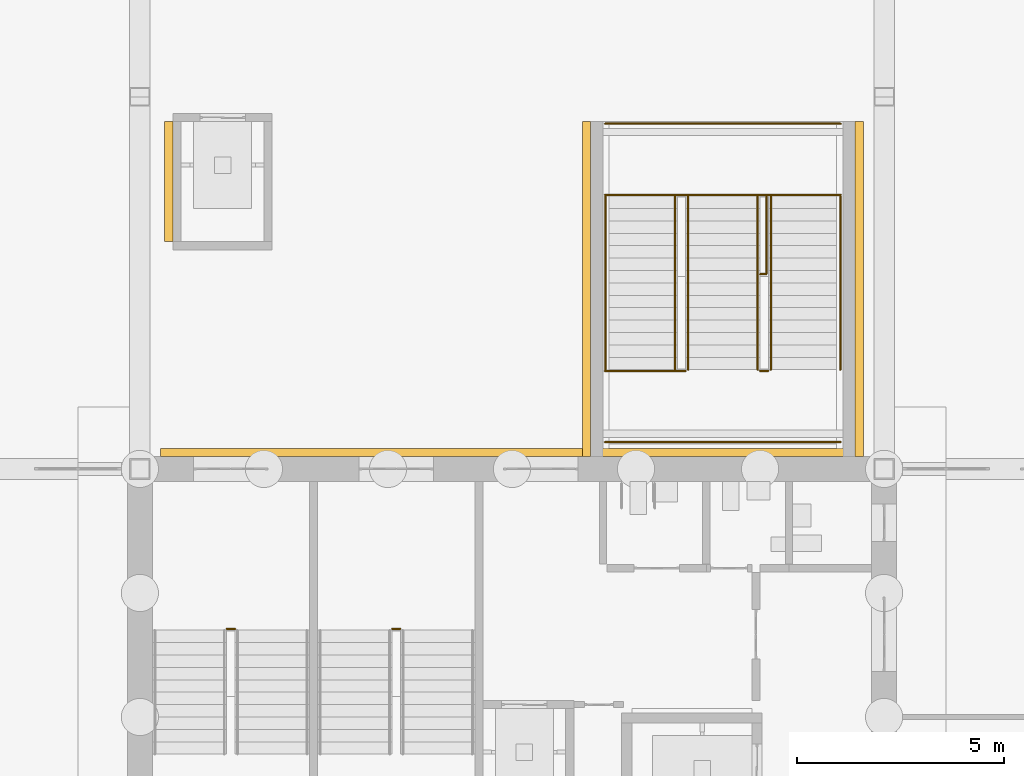
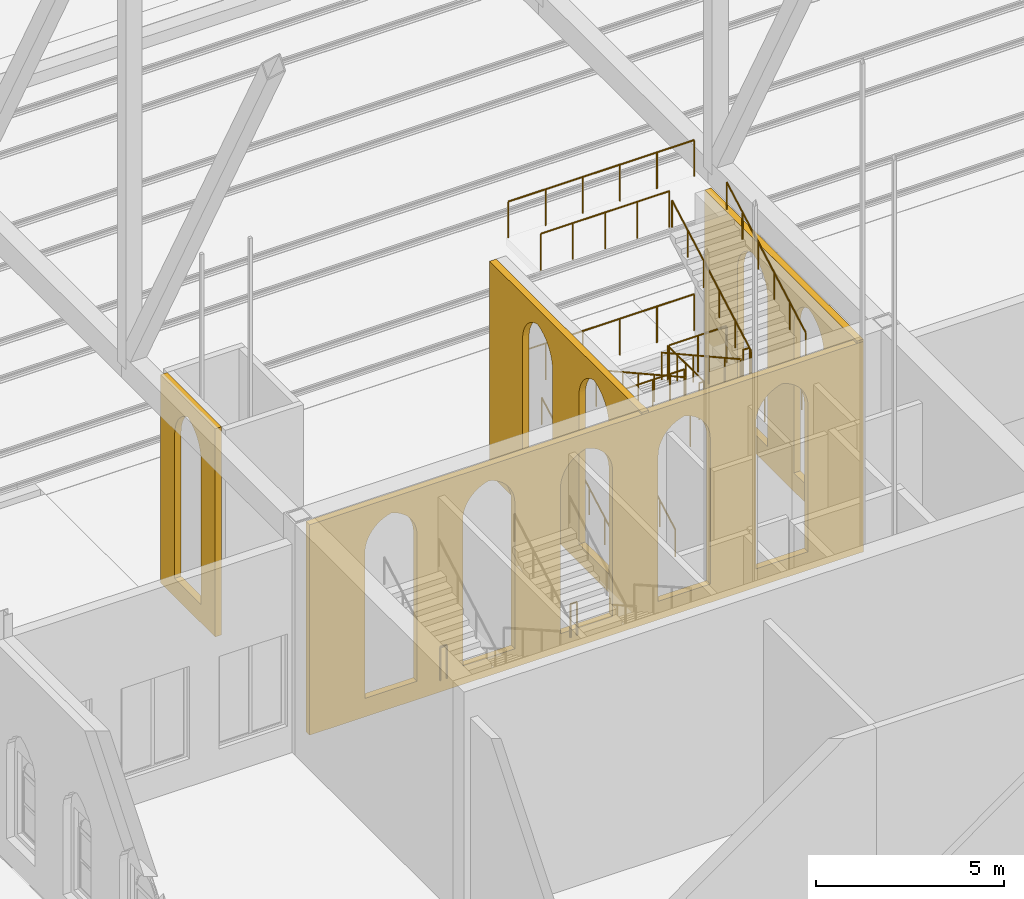
# One storey, part 177 of 250: 16 railings, 4 coverings.
"""IFC4 building model written with IfcOpenShell, lengths in metres."""

from ifc_helpers import new_model, si_unit, direction, frame, origin, origin_2d, place, context, subcontext, project, spatial, polyline, circle, outline, extrude, material, layer, layer_set, type_object, element, save


model = new_model("IFC4")

# Units and contexts
model_context = context("Model", 3, precision=1e-05, world=origin(), true_north=direction((0.0, 1.0)))
body_context = subcontext(model_context, "Body", "Model", "MODEL_VIEW")
ifc_project = project(units=[si_unit("LENGTHUNIT", "METRE"), si_unit("AREAUNIT", "SQUARE_METRE"), si_unit("VOLUMEUNIT", "CUBIC_METRE"), si_unit("PLANEANGLEUNIT", "RADIAN"), si_unit("MASSUNIT", "GRAM", prefix="KILO")], contexts=[model_context])

# Site, building, storey
site_placement = place(None, origin())
site = spatial("IfcSite", under=ifc_project, at=site_placement, CompositionType="ELEMENT")
building_placement = place(site_placement, origin())
building = spatial("IfcBuilding", under=site, at=building_placement, Name="Baradari Gate Terminus", CompositionType="ELEMENT")
storey_placement = place(building_placement, origin())
storey = spatial("IfcBuildingStorey", under=building, at=storey_placement, Name="L00", CompositionType="ELEMENT", Elevation=0.0)

# Railings
ifc_material_1 = material(Name="Stainless steel 1.4301", Category="steel")
railing_type_1 = type_object("IfcRailingType", Name="Guard GR-1 1100", PredefinedType="GUARDRAIL", material=ifc_material_1)
for number, where, name in (
    (1, (74.10009765625, 32.1298828125, 3.75), "Landing guard ST-GS1 L00"),
    (2, (78.10009765625, 32.1298828125, 3.75), "Landing guard ST-GS2 L00"),
):
    element("IfcRailing", number, at=place(storey_placement, frame(where)), inside=storey, type_object=railing_type_1, Name=name, PredefinedType="GUARDRAIL", context=body_context, shape_type="SweptSolid", body=[
        extrude(circle(Radius=0.02392578125, at=origin_2d()), frame((0.0, 0.0, 1.076171875), z_axis=(1.0, 0.0, 0.0), x_axis=(0.0, 1.0, 0.0)), (0.0, 0.0, 1.0), 0.199951171875),
        extrude(circle(Radius=0.02099609375, at=origin_2d()), origin(), (0.0, 0.0, 1.0), 1.052001953125),
        extrude(circle(Radius=0.02099609375, at=origin_2d()), frame((0.199951171875, 0.0, 0.0)), (0.0, 0.0, 1.0), 1.052001953125),
    ])
ifc_material_2 = material(Name="Stainless steel 1.4301", Category="steel")
railing_type_2 = type_object("IfcRailingType", Name="Guard GR-2 1200", PredefinedType="GUARDRAIL", material=ifc_material_2)
railing_1_placement = place(storey_placement, frame((87.0, 40.7099609375, 2.5)))
element("IfcRailing", 3, at=railing_1_placement, inside=storey, type_object=railing_type_2, Name="Landing guard PS-1 L00", PredefinedType="GUARDRAIL", context=body_context, shape_type="SweptSolid", body=[
    extrude(circle(Radius=0.02392578125, at=origin_2d()), frame((0.0, 0.0, 1.17578125), z_axis=(1.0, 0.0, 0.0), x_axis=(0.0, 1.0, 0.0)), (0.0, 0.0, 1.0), 0.14990234375),
    extrude(circle(Radius=0.02392578125, at=origin_2d()), frame((0.14990234375, 0.0, 1.17578125), z_axis=(0.0, 1.0, 0.0), x_axis=(-1.0, 0.0, 0.0)), (0.0, 0.0, 1.0), 1.919921875),
    extrude(circle(Radius=0.02099609375, at=origin_2d()), origin(), (0.0, 0.0, 1.0), 1.15185546875),
    extrude(circle(Radius=0.02099609375, at=origin_2d()), frame((0.14990234375, 0.0, 0.0)), (0.0, 0.0, 1.0), 1.15185546875),
    extrude(circle(Radius=0.02099609375, at=origin_2d()), frame((0.14990234375, 0.9599609375, 0.0)), (0.0, 0.0, 1.0), 1.15185546875),
    extrude(circle(Radius=0.02099609375, at=origin_2d()), frame((0.14990234375, 1.919921875, 0.0)), (0.0, 0.0, 1.0), 1.15185546875),
])
railing_2_placement = place(storey_placement, frame((87.199951171875, 42.6298828125, 2.5)))
element("IfcRailing", 4, at=railing_2_placement, inside=storey, type_object=railing_type_2, Name="Landing guard PS-1 L00", PredefinedType="GUARDRAIL", context=body_context, shape_type="SweptSolid", body=[
    extrude(circle(Radius=0.02392578125, at=origin_2d()), frame((0.0, 0.0, 1.17578125), z_axis=(1.0, 0.0, 0.0), x_axis=(0.0, 1.0, 0.0)), (0.0, 0.0, 1.0), 1.75),
    extrude(circle(Radius=0.02099609375, at=origin_2d()), origin(), (0.0, 0.0, 1.0), 1.15185546875),
    extrude(circle(Radius=0.02099609375, at=origin_2d()), frame((0.875, 0.0, 0.0)), (0.0, 0.0, 1.0), 1.15185546875),
    extrude(circle(Radius=0.02099609375, at=origin_2d()), frame((1.75, 0.0, 0.0)), (0.0, 0.0, 1.0), 1.15185546875),
])
railing_3_placement = place(storey_placement, frame((88.949951171875, 44.35009765625, 2.5)))
element("IfcRailing", 5, at=railing_3_placement, inside=storey, type_object=railing_type_2, Name="Landing guard PS-1 L00", PredefinedType="GUARDRAIL", context=body_context, shape_type="SweptSolid", body=[
    extrude(circle(Radius=0.02392578125, at=origin_2d()), frame((0.0, 0.0, 1.17578125), z_axis=(-1.0, 0.0, 0.0), x_axis=(0.0, -1.0, 0.0)), (0.0, 0.0, 1.0), 5.699951171875),
    extrude(circle(Radius=0.02099609375, at=origin_2d()), origin(), (0.0, 0.0, 1.0), 1.15185546875),
    extrude(circle(Radius=0.02099609375, at=origin_2d()), frame((-1.139892578125, 0.0, 0.0)), (0.0, 0.0, 1.0), 1.15185546875),
    extrude(circle(Radius=0.02099609375, at=origin_2d()), frame((-2.280029296875, 0.0, 0.0)), (0.0, 0.0, 1.0), 1.15185546875),
    extrude(circle(Radius=0.02099609375, at=origin_2d()), frame((-3.419921875, 0.0, 0.0)), (0.0, 0.0, 1.0), 1.15185546875),
    extrude(circle(Radius=0.02099609375, at=origin_2d()), frame((-4.56005859375, 0.0, 0.0)), (0.0, 0.0, 1.0), 1.15185546875),
    extrude(circle(Radius=0.02099609375, at=origin_2d()), frame((-5.699951171875, 0.0, 0.0)), (0.0, 0.0, 1.0), 1.15185546875),
])
railing_4_placement = place(storey_placement, frame((83.25, 36.64990234375, 5.0)))
element("IfcRailing", 6, at=railing_4_placement, inside=storey, type_object=railing_type_2, Name="Landing guard PS-1 L00", PredefinedType="GUARDRAIL", context=body_context, shape_type="SweptSolid", body=[
    extrude(circle(Radius=0.02392578125, at=origin_2d()), frame((0.0, 0.0, 1.17578125), z_axis=(1.0, 0.0, 0.0), x_axis=(0.0, 1.0, 0.0)), (0.0, 0.0, 1.0), 5.699951171875),
    extrude(circle(Radius=0.02099609375, at=origin_2d()), origin(), (0.0, 0.0, 1.0), 1.15185546875),
    extrude(circle(Radius=0.02099609375, at=origin_2d()), frame((1.139892578125, 0.0, 0.0)), (0.0, 0.0, 1.0), 1.15185546875),
    extrude(circle(Radius=0.02099609375, at=origin_2d()), frame((2.280029296875, 0.0, 0.0)), (0.0, 0.0, 1.0), 1.15185546875),
    extrude(circle(Radius=0.02099609375, at=origin_2d()), frame((3.419921875, 0.0, 0.0)), (0.0, 0.0, 1.0), 1.15185546875),
    extrude(circle(Radius=0.02099609375, at=origin_2d()), frame((4.56005859375, 0.0, 0.0)), (0.0, 0.0, 1.0), 1.15185546875),
    extrude(circle(Radius=0.02099609375, at=origin_2d()), frame((5.699951171875, 0.0, 0.0)), (0.0, 0.0, 1.0), 1.15185546875),
])
railing_5_placement = place(storey_placement, frame((87.199951171875, 38.3701171875, 5.0)))
element("IfcRailing", 7, at=railing_5_placement, inside=storey, type_object=railing_type_2, Name="Landing guard PS-1 L00", PredefinedType="GUARDRAIL", context=body_context, shape_type="SweptSolid", body=[
    extrude(circle(Radius=0.02392578125, at=origin_2d()), frame((0.0, 0.0, 1.17578125), z_axis=(-1.0, 0.0, 0.0), x_axis=(0.0, -1.0, 0.0)), (0.0, 0.0, 1.0), 0.199951171875),
    extrude(circle(Radius=0.02099609375, at=origin_2d()), origin(), (0.0, 0.0, 1.0), 1.15185546875),
    extrude(circle(Radius=0.02099609375, at=origin_2d()), frame((-0.199951171875, 0.0, 0.0)), (0.0, 0.0, 1.0), 1.15185546875),
])
railing_6_placement = place(storey_placement, frame((85.199951171875, 38.3701171875, 5.0)))
element("IfcRailing", 8, at=railing_6_placement, inside=storey, type_object=railing_type_2, Name="Landing guard PS-1 L00", PredefinedType="GUARDRAIL", context=body_context, shape_type="SweptSolid", body=[
    extrude(circle(Radius=0.02392578125, at=origin_2d()), frame((0.0, 0.0, 1.17578125), z_axis=(-1.0, 0.0, 0.0), x_axis=(0.0, -1.0, 0.0)), (0.0, 0.0, 1.0), 1.949951171875),
    extrude(circle(Radius=0.02099609375, at=origin_2d()), origin(), (0.0, 0.0, 1.0), 1.15185546875),
    extrude(circle(Radius=0.02099609375, at=origin_2d()), frame((-0.97509765625, 0.0, 0.0)), (0.0, 0.0, 1.0), 1.15185546875),
    extrude(circle(Radius=0.02099609375, at=origin_2d()), frame((-1.949951171875, 0.0, 0.0)), (0.0, 0.0, 1.0), 1.15185546875),
])
railing_7_placement = place(storey_placement, frame((83.25, 42.6298828125, 7.5)))
element("IfcRailing", 9, at=railing_7_placement, inside=storey, type_object=railing_type_2, Name="Landing guard PS-1 L00", PredefinedType="GUARDRAIL", context=body_context, shape_type="SweptSolid", body=[
    extrude(circle(Radius=0.02392578125, at=origin_2d()), frame((0.0, 0.0, 1.17578125), z_axis=(1.0, 0.0, 0.0), x_axis=(0.0, 1.0, 0.0)), (0.0, 0.0, 1.0), 3.949951171875),
    extrude(circle(Radius=0.02099609375, at=origin_2d()), origin(), (0.0, 0.0, 1.0), 1.15185546875),
    extrude(circle(Radius=0.02099609375, at=origin_2d()), frame((0.987548828125, 0.0, 0.0)), (0.0, 0.0, 1.0), 1.15185546875),
    extrude(circle(Radius=0.02099609375, at=origin_2d()), frame((1.97509765625, 0.0, 0.0)), (0.0, 0.0, 1.0), 1.15185546875),
    extrude(circle(Radius=0.02099609375, at=origin_2d()), frame((2.96240234375, 0.0, 0.0)), (0.0, 0.0, 1.0), 1.15185546875),
    extrude(circle(Radius=0.02099609375, at=origin_2d()), frame((3.949951171875, 0.0, 0.0)), (0.0, 0.0, 1.0), 1.15185546875),
])
railing_8_placement = place(storey_placement, frame((88.949951171875, 44.35009765625, 7.5)))
element("IfcRailing", 10, at=railing_8_placement, inside=storey, type_object=railing_type_2, Name="Landing guard PS-1 L00", PredefinedType="GUARDRAIL", context=body_context, shape_type="SweptSolid", body=[
    extrude(circle(Radius=0.02392578125, at=origin_2d()), frame((0.0, 0.0, 1.17578125), z_axis=(-1.0, 0.0, 0.0), x_axis=(0.0, -1.0, 0.0)), (0.0, 0.0, 1.0), 5.699951171875),
    extrude(circle(Radius=0.02099609375, at=origin_2d()), origin(), (0.0, 0.0, 1.0), 1.15185546875),
    extrude(circle(Radius=0.02099609375, at=origin_2d()), frame((-1.139892578125, 0.0, 0.0)), (0.0, 0.0, 1.0), 1.15185546875),
    extrude(circle(Radius=0.02099609375, at=origin_2d()), frame((-2.280029296875, 0.0, 0.0)), (0.0, 0.0, 1.0), 1.15185546875),
    extrude(circle(Radius=0.02099609375, at=origin_2d()), frame((-3.419921875, 0.0, 0.0)), (0.0, 0.0, 1.0), 1.15185546875),
    extrude(circle(Radius=0.02099609375, at=origin_2d()), frame((-4.56005859375, 0.0, 0.0)), (0.0, 0.0, 1.0), 1.15185546875),
    extrude(circle(Radius=0.02099609375, at=origin_2d()), frame((-5.699951171875, 0.0, 0.0)), (0.0, 0.0, 1.0), 1.15185546875),
])
ifc_material_3 = material(Name="Stainless steel 1.4301", Category="steel")
railing_type_3 = type_object("IfcRailingType", Name="Handrail HR-1 900", PredefinedType="HANDRAIL", material=ifc_material_3)
for number, where, name in (
    (11, (83.260009765625, 38.39990234375, 0.166748046875), "Handrail PS-1 L00 flight 1"),
    (12, (84.93994140625, 38.39990234375, 0.166748046875), "Handrail PS-1 L00 flight 1"),
):
    element("IfcRailing", number, at=place(storey_placement, frame(where)), inside=storey, type_object=railing_type_3, Name=name, PredefinedType="HANDRAIL", context=body_context, shape_type="SweptSolid", body=[
        extrude(circle(Radius=0.02392578125, at=origin_2d()), frame((0.0, 0.0, 0.8759765625), z_axis=(0.0, 0.874174053232, 0.485612731152), x_axis=(-1.0, 0.0, 0.0)), (0.0, 0.0, 1.0), 4.8046875),
        extrude(circle(Radius=0.02099609375, at=origin_2d()), origin(), (0.0, 0.0, 1.0), 0.851806640625),
        extrude(circle(Radius=0.02099609375, at=origin_2d()), frame((0.0, 0.840087890625, 0.466552734375)), (0.0, 0.0, 1.0), 0.851806640625),
        extrude(circle(Radius=0.02099609375, at=origin_2d()), frame((0.0, 1.68017578125, 0.933349609375)), (0.0, 0.0, 1.0), 0.851806640625),
        extrude(circle(Radius=0.02099609375, at=origin_2d()), frame((0.0, 2.52001953125, 1.39990234375)), (0.0, 0.0, 1.0), 0.851806640625),
        extrude(circle(Radius=0.02099609375, at=origin_2d()), frame((0.0, 3.360107421875, 1.86669921875)), (0.0, 0.0, 1.0), 0.851806640625),
        extrude(circle(Radius=0.02099609375, at=origin_2d()), frame((0.0, 4.2001953125, 2.333251953125)), (0.0, 0.0, 1.0), 0.851806640625),
    ])
for number, where, name in (
    (13, (85.260009765625, 42.60009765625, 2.666748046875), "Handrail PS-1 L00 flight 2"),
    (14, (86.93994140625, 42.60009765625, 2.666748046875), "Handrail PS-1 L00 flight 2"),
):
    element("IfcRailing", number, at=place(storey_placement, frame(where)), inside=storey, type_object=railing_type_3, Name=name, PredefinedType="HANDRAIL", context=body_context, shape_type="SweptSolid", body=[
        extrude(circle(Radius=0.02392578125, at=origin_2d()), frame((0.0, 0.0, 0.8759765625), z_axis=(0.0, -0.874174053232, 0.485612731152), x_axis=(1.0, 0.0, 0.0)), (0.0, 0.0, 1.0), 4.8046875),
        extrude(circle(Radius=0.02099609375, at=origin_2d()), origin(), (0.0, 0.0, 1.0), 0.851806640625),
        extrude(circle(Radius=0.02099609375, at=origin_2d()), frame((0.0, -0.840087890625, 0.466552734375)), (0.0, 0.0, 1.0), 0.851806640625),
        extrude(circle(Radius=0.02099609375, at=origin_2d()), frame((0.0, -1.68017578125, 0.933349609375)), (0.0, 0.0, 1.0), 0.851806640625),
        extrude(circle(Radius=0.02099609375, at=origin_2d()), frame((0.0, -2.52001953125, 1.39990234375)), (0.0, 0.0, 1.0), 0.851806640625),
        extrude(circle(Radius=0.02099609375, at=origin_2d()), frame((0.0, -3.360107421875, 1.86669921875)), (0.0, 0.0, 1.0), 0.851806640625),
        extrude(circle(Radius=0.02099609375, at=origin_2d()), frame((0.0, -4.2001953125, 2.333251953125)), (0.0, 0.0, 1.0), 0.851806640625),
    ])
for number, where, name in (
    (15, (87.260009765625, 38.39990234375, 5.166748046875), "Handrail PS-1 L00 flight 3"),
    (16, (88.93994140625, 38.39990234375, 5.166748046875), "Handrail PS-1 L00 flight 3"),
):
    element("IfcRailing", number, at=place(storey_placement, frame(where)), inside=storey, type_object=railing_type_3, Name=name, PredefinedType="HANDRAIL", context=body_context, shape_type="SweptSolid", body=[
        extrude(circle(Radius=0.02392578125, at=origin_2d()), frame((0.0, 0.0, 0.8759765625), z_axis=(0.0, 0.874174053232, 0.485612731152), x_axis=(-1.0, 0.0, 0.0)), (0.0, 0.0, 1.0), 4.8046875),
        extrude(circle(Radius=0.02099609375, at=origin_2d()), origin(), (0.0, 0.0, 1.0), 0.851806640625),
        extrude(circle(Radius=0.02099609375, at=origin_2d()), frame((0.0, 0.840087890625, 0.466552734375)), (0.0, 0.0, 1.0), 0.851806640625),
        extrude(circle(Radius=0.02099609375, at=origin_2d()), frame((0.0, 1.68017578125, 0.933349609375)), (0.0, 0.0, 1.0), 0.851806640625),
        extrude(circle(Radius=0.02099609375, at=origin_2d()), frame((0.0, 2.52001953125, 1.39990234375)), (0.0, 0.0, 1.0), 0.851806640625),
        extrude(circle(Radius=0.02099609375, at=origin_2d()), frame((0.0, 3.360107421875, 1.86669921875)), (0.0, 0.0, 1.0), 0.851806640625),
        extrude(circle(Radius=0.02099609375, at=origin_2d()), frame((0.0, 4.2001953125, 2.333251953125)), (0.0, 0.0, 1.0), 0.851806640625),
    ])

# Coverings
ifc_material_4 = material(Name="Light ochre laterite masonry", Category="masonry")
ifc_layer = layer(ifc_material_4, 0.199951171875)
ifc_layer_set = layer_set([ifc_layer], Name="Light ochre laterite masonry")
covering_type = type_object("IfcCoveringType", Name="Laterite arcade cladding LC-2 200", PredefinedType="CLADDING", material=ifc_layer_set)
covering_1_placement = place(storey_placement, frame((72.5, 36.39990234375, 0.0), z_axis=(0.0, 0.0, 1.0), x_axis=(1.0, 0.0, 0.0)))
element("IfcCovering", 17, at=covering_1_placement, inside=storey, type_object=covering_type, Name="Underpass front course GS 1", PredefinedType="CLADDING", context=body_context, shape_type="SweptSolid", body=[
    extrude(outline(polyline([(0.0, 0.0), (17.0, 0.0), (17.0, 6.83056640625), (0.0, 6.83056640625), (0.0, 0.0)]), holes=[polyline([(1.70654296875, 5.445556640625), (1.725830078125, 5.55908203125), (1.7578125, 5.669921875), (1.802001953125, 5.776123046875), (1.85791015625, 5.876953125), (1.924560546875, 5.970703125), (2.00146484375, 6.056640625), (2.087646484375, 6.13330078125), (2.181640625, 6.19970703125), (2.28271484375, 6.255126953125), (2.38916015625, 6.298828125), (2.5, 6.33056640625), (2.61083984375, 6.298828125), (2.71728515625, 6.255126953125), (2.818359375, 6.19970703125), (2.912353515625, 6.13330078125), (2.99853515625, 6.056640625), (3.075439453125, 5.970703125), (3.14208984375, 5.876953125), (3.197998046875, 5.776123046875), (3.2421875, 5.669921875), (3.274169921875, 5.55908203125), (3.29345703125, 5.445556640625), (3.300048828125, 5.33056640625), (3.300048828125, 0.60009765625), (1.699951171875, 0.60009765625), (1.699951171875, 5.33056640625), (1.70654296875, 5.445556640625)]), polyline([(4.70654296875, 5.445556640625), (4.725830078125, 5.55908203125), (4.7578125, 5.669921875), (4.802001953125, 5.776123046875), (4.85791015625, 5.876953125), (4.924560546875, 5.970703125), (5.00146484375, 6.056640625), (5.087646484375, 6.13330078125), (5.181640625, 6.19970703125), (5.28271484375, 6.255126953125), (5.38916015625, 6.298828125), (5.5, 6.33056640625), (5.61083984375, 6.298828125), (5.71728515625, 6.255126953125), (5.818359375, 6.19970703125), (5.912353515625, 6.13330078125), (5.99853515625, 6.056640625), (6.075439453125, 5.970703125), (6.14208984375, 5.876953125), (6.197998046875, 5.776123046875), (6.2421875, 5.669921875), (6.274169921875, 5.55908203125), (6.29345703125, 5.445556640625), (6.300048828125, 5.33056640625), (6.300048828125, 0.60009765625), (4.699951171875, 0.60009765625), (4.699951171875, 5.33056640625), (4.70654296875, 5.445556640625)]), polyline([(7.70654296875, 5.445556640625), (7.725830078125, 5.55908203125), (7.7578125, 5.669921875), (7.802001953125, 5.776123046875), (7.85791015625, 5.876953125), (7.924560546875, 5.970703125), (8.00146484375, 6.056640625), (8.087646484375, 6.13330078125), (8.181640625, 6.19970703125), (8.28271484375, 6.255126953125), (8.38916015625, 6.298828125), (8.5, 6.33056640625), (8.61083984375, 6.298828125), (8.71728515625, 6.255126953125), (8.818359375, 6.19970703125), (8.912353515625, 6.13330078125), (8.99853515625, 6.056640625), (9.075439453125, 5.970703125), (9.14208984375, 5.876953125), (9.197998046875, 5.776123046875), (9.2421875, 5.669921875), (9.274169921875, 5.55908203125), (9.29345703125, 5.445556640625), (9.300048828125, 5.33056640625), (9.300048828125, 0.60009765625), (7.699951171875, 0.60009765625), (7.699951171875, 5.33056640625), (7.70654296875, 5.445556640625)]), polyline([(10.725830078125, 5.55908203125), (10.7578125, 5.669921875), (10.802001953125, 5.776123046875), (10.85791015625, 5.876953125), (10.924560546875, 5.970703125), (11.00146484375, 6.056640625), (11.087646484375, 6.13330078125), (11.181640625, 6.19970703125), (11.28271484375, 6.255126953125), (11.38916015625, 6.298828125), (11.5, 6.33056640625), (11.61083984375, 6.298828125), (11.71728515625, 6.255126953125), (11.818359375, 6.19970703125), (11.912353515625, 6.13330078125), (11.99853515625, 6.056640625), (12.075439453125, 5.970703125), (12.14208984375, 5.876953125), (12.197998046875, 5.776123046875), (12.2421875, 5.669921875), (12.274169921875, 5.55908203125), (12.29345703125, 5.445556640625), (12.300048828125, 5.33056640625), (12.300048828125, 0.60009765625), (10.699951171875, 0.60009765625), (10.699951171875, 5.33056640625), (10.70654296875, 5.445556640625), (10.725830078125, 5.55908203125)]), polyline([(13.725830078125, 5.55908203125), (13.7578125, 5.669921875), (13.802001953125, 5.776123046875), (13.85791015625, 5.876953125), (13.924560546875, 5.970703125), (14.00146484375, 6.056640625), (14.087646484375, 6.13330078125), (14.181640625, 6.19970703125), (14.28271484375, 6.255126953125), (14.38916015625, 6.298828125), (14.5, 6.33056640625), (14.61083984375, 6.298828125), (14.71728515625, 6.255126953125), (14.818359375, 6.19970703125), (14.912353515625, 6.13330078125), (14.99853515625, 6.056640625), (15.075439453125, 5.970703125), (15.14208984375, 5.876953125), (15.197998046875, 5.776123046875), (15.2421875, 5.669921875), (15.274169921875, 5.55908203125), (15.29345703125, 5.445556640625), (15.300048828125, 5.33056640625), (15.300048828125, 0.60009765625), (13.699951171875, 0.60009765625), (13.699951171875, 5.33056640625), (13.70654296875, 5.445556640625), (13.725830078125, 5.55908203125)])]), frame((0.0, 0.10009765625, 0.0), z_axis=(0.0, -1.0, 0.0), x_axis=(1.0, 0.0, 0.0)), (0.0, 0.0, 1.0), 0.199951171875),
])
covering_2_placement = place(storey_placement, frame((72.699951171875, 41.5, 0.0), z_axis=(0.0, 0.0, 1.0), x_axis=(0.0, 1.0, 0.0)))
element("IfcCovering", 18, at=covering_2_placement, inside=storey, type_object=covering_type, Name="Lift shaft front course LP1 1", PredefinedType="CLADDING", context=body_context, shape_type="SweptSolid", body=[
    extrude(outline(polyline([(0.0, 0.0), (2.89990234375, 0.0), (2.89990234375, 6.757080078125), (0.0, 6.757080078125), (0.0, 0.0)]), holes=[polyline([(0.75, 0.60009765625), (0.75, 5.257080078125), (0.755615234375, 5.364990234375), (0.77197265625, 5.47216796875), (0.79931640625, 5.576904296875), (0.8369140625, 5.678466796875), (0.885009765625, 5.775634765625), (0.9423828125, 5.8671875), (1.0087890625, 5.952880859375), (1.083740234375, 6.031005859375), (1.166259765625, 6.101318359375), (1.25537109375, 6.16259765625), (1.350341796875, 6.21484375), (1.449951171875, 6.257080078125), (1.5498046875, 6.21484375), (1.64453125, 6.16259765625), (1.73388671875, 6.101318359375), (1.816162109375, 6.031005859375), (1.89111328125, 5.952880859375), (1.95751953125, 5.8671875), (2.01513671875, 5.775634765625), (2.06298828125, 5.678466796875), (2.100830078125, 5.576904296875), (2.1279296875, 5.47216796875), (2.14453125, 5.364990234375), (2.14990234375, 5.257080078125), (2.14990234375, 0.60009765625), (0.75, 0.60009765625)])]), frame((0.0, 0.10009765625, 0.0), z_axis=(0.0, -1.0, 0.0), x_axis=(1.0, 0.0, 0.0)), (0.0, 0.0, 1.0), 0.199951171875),
])
covering_3_placement = place(storey_placement, frame((82.800048828125, 36.302001953125, 0.0), z_axis=(0.0, 0.0, 1.0), x_axis=(0.0, 1.0, 0.0)))
element("IfcCovering", 19, at=covering_3_placement, inside=storey, type_object=covering_type, Name="Platform stair front course PS-1-W1 1", PredefinedType="CLADDING", context=body_context, shape_type="SweptSolid", body=[
    extrude(outline(polyline([(0.0, 0.0), (8.097900390625, 0.0), (8.097900390625, 6.902099609375), (0.0, 6.902099609375), (0.0, 0.0)]), holes=[polyline([(1.7490234375, 5.402099609375), (1.755615234375, 5.51708984375), (1.77490234375, 5.630615234375), (1.806884765625, 5.7412109375), (1.85107421875, 5.84765625), (1.90673828125, 5.948486328125), (1.9736328125, 6.042236328125), (2.050537109375, 6.128173828125), (2.13671875, 6.20458984375), (2.230712890625, 6.271240234375), (2.33154296875, 6.32666015625), (2.438232421875, 6.370361328125), (2.549072265625, 6.402099609375), (2.659912109375, 6.370361328125), (2.766357421875, 6.32666015625), (2.8671875, 6.271240234375), (2.96142578125, 6.20458984375), (3.047607421875, 6.128173828125), (3.12451171875, 6.042236328125), (3.191162109375, 5.948486328125), (3.2470703125, 5.84765625), (3.291259765625, 5.7412109375), (3.3232421875, 5.630615234375), (3.342529296875, 5.51708984375), (3.34912109375, 5.402099609375), (3.34912109375, 0.60009765625), (1.7490234375, 0.60009765625), (1.7490234375, 5.402099609375)]), polyline([(4.7490234375, 5.402099609375), (4.755615234375, 5.51708984375), (4.77490234375, 5.630615234375), (4.806884765625, 5.7412109375), (4.85107421875, 5.84765625), (4.90673828125, 5.948486328125), (4.9736328125, 6.042236328125), (5.050537109375, 6.128173828125), (5.13671875, 6.20458984375), (5.230712890625, 6.271240234375), (5.33154296875, 6.32666015625), (5.438232421875, 6.370361328125), (5.549072265625, 6.402099609375), (5.659912109375, 6.370361328125), (5.766357421875, 6.32666015625), (5.8671875, 6.271240234375), (5.96142578125, 6.20458984375), (6.047607421875, 6.128173828125), (6.12451171875, 6.042236328125), (6.191162109375, 5.948486328125), (6.2470703125, 5.84765625), (6.291259765625, 5.7412109375), (6.3232421875, 5.630615234375), (6.342529296875, 5.51708984375), (6.34912109375, 5.402099609375), (6.34912109375, 0.60009765625), (4.7490234375, 0.60009765625), (4.7490234375, 5.402099609375)])]), frame((0.0, 0.10009765625, 0.0), z_axis=(0.0, -1.0, 0.0), x_axis=(1.0, 0.0, 0.0)), (0.0, 0.0, 1.0), 0.199951171875),
])
covering_4_placement = place(storey_placement, frame((89.39990234375, 36.302001953125, 0.0), z_axis=(0.0, 0.0, 1.0), x_axis=(0.0, 1.0, 0.0)))
element("IfcCovering", 20, at=covering_4_placement, inside=storey, type_object=covering_type, Name="Platform stair front course PS-1-E2 1", PredefinedType="CLADDING", context=body_context, shape_type="SweptSolid", body=[
    extrude(outline(polyline([(0.0, 0.0), (8.097900390625, 0.0), (8.097900390625, 6.902099609375), (0.0, 6.902099609375), (0.0, 0.0)]), holes=[polyline([(1.7490234375, 5.402099609375), (1.755615234375, 5.51708984375), (1.77490234375, 5.630615234375), (1.806884765625, 5.7412109375), (1.85107421875, 5.84765625), (1.90673828125, 5.948486328125), (1.9736328125, 6.042236328125), (2.050537109375, 6.128173828125), (2.13671875, 6.20458984375), (2.230712890625, 6.271240234375), (2.33154296875, 6.32666015625), (2.438232421875, 6.370361328125), (2.549072265625, 6.402099609375), (2.659912109375, 6.370361328125), (2.766357421875, 6.32666015625), (2.8671875, 6.271240234375), (2.96142578125, 6.20458984375), (3.047607421875, 6.128173828125), (3.12451171875, 6.042236328125), (3.191162109375, 5.948486328125), (3.2470703125, 5.84765625), (3.291259765625, 5.7412109375), (3.3232421875, 5.630615234375), (3.342529296875, 5.51708984375), (3.34912109375, 5.402099609375), (3.34912109375, 0.60009765625), (1.7490234375, 0.60009765625), (1.7490234375, 5.402099609375)]), polyline([(4.7490234375, 5.402099609375), (4.755615234375, 5.51708984375), (4.77490234375, 5.630615234375), (4.806884765625, 5.7412109375), (4.85107421875, 5.84765625), (4.90673828125, 5.948486328125), (4.9736328125, 6.042236328125), (5.050537109375, 6.128173828125), (5.13671875, 6.20458984375), (5.230712890625, 6.271240234375), (5.33154296875, 6.32666015625), (5.438232421875, 6.370361328125), (5.549072265625, 6.402099609375), (5.659912109375, 6.370361328125), (5.766357421875, 6.32666015625), (5.8671875, 6.271240234375), (5.96142578125, 6.20458984375), (6.047607421875, 6.128173828125), (6.12451171875, 6.042236328125), (6.191162109375, 5.948486328125), (6.2470703125, 5.84765625), (6.291259765625, 5.7412109375), (6.3232421875, 5.630615234375), (6.342529296875, 5.51708984375), (6.34912109375, 5.402099609375), (6.34912109375, 0.60009765625), (4.7490234375, 0.60009765625), (4.7490234375, 5.402099609375)])]), frame((0.0, 0.10009765625, 0.0), z_axis=(0.0, -1.0, 0.0), x_axis=(1.0, 0.0, 0.0)), (0.0, 0.0, 1.0), 0.199951171875),
])

save(model, "model.ifc")
